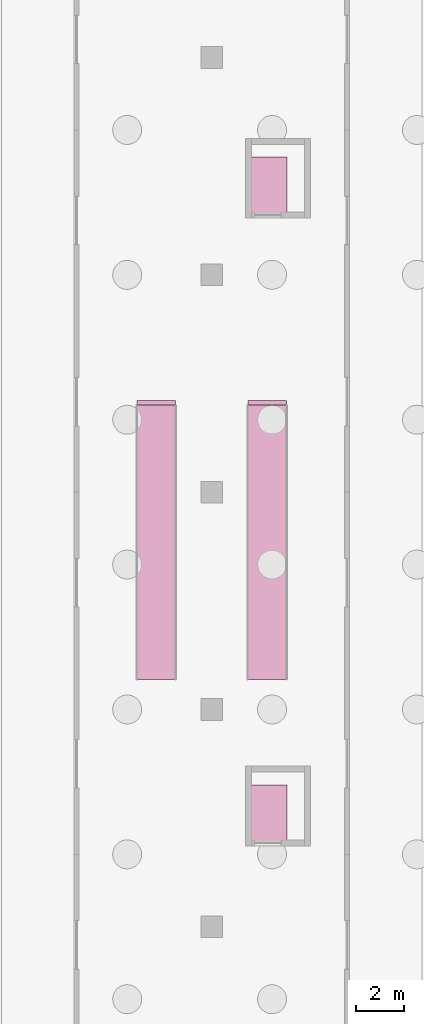
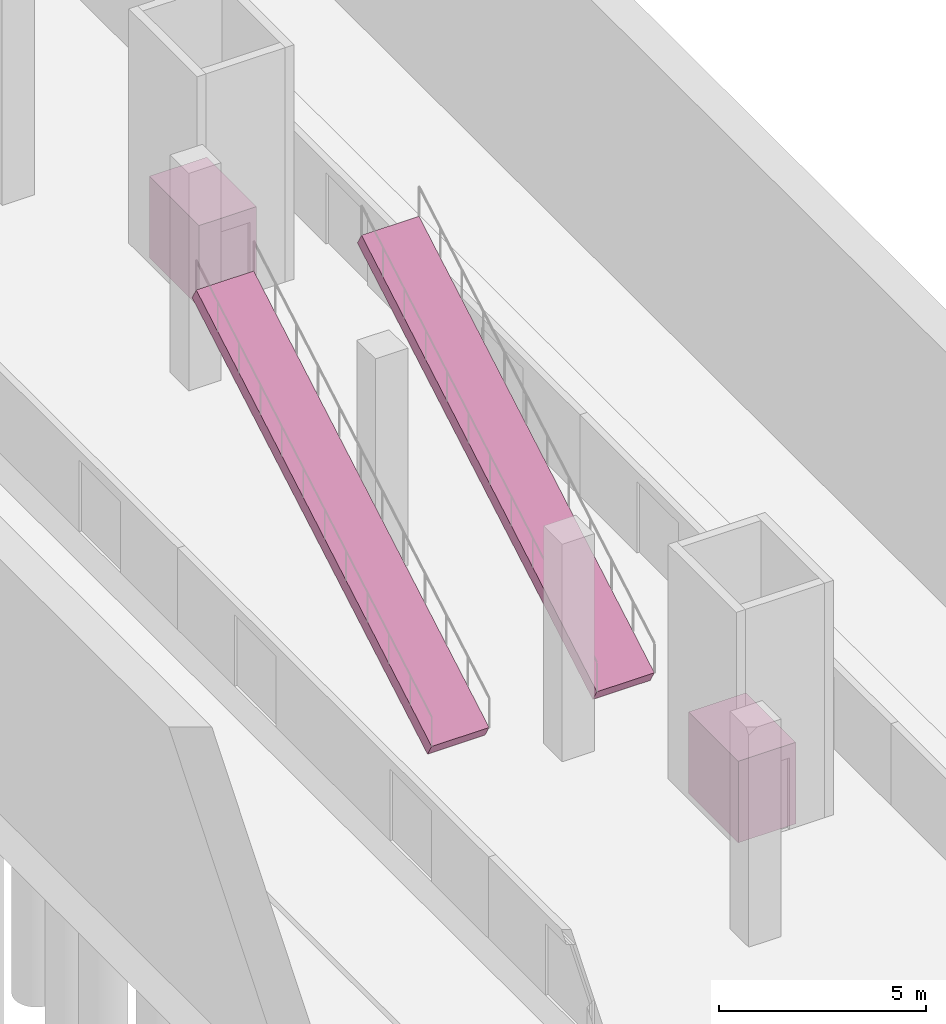
# One storey, part 16 of 16: 4 transport elements.
"""IFC4 building model written with IfcOpenShell, lengths in metres."""

from ifc_helpers import new_model, si_unit, direction, frame, origin, origin_2d, place, context, subcontext, project, spatial, polyline, rectangle, outline, extrude, material, type_object, element, save


model = new_model("IFC4")

# Units and contexts
model_context = context("Model", 3, precision=1e-05, world=origin(), true_north=direction((0.0, 1.0)))
body_context = subcontext(model_context, "Body", "Model", "MODEL_VIEW")
ifc_project = project(units=[si_unit("LENGTHUNIT", "METRE"), si_unit("AREAUNIT", "SQUARE_METRE"), si_unit("VOLUMEUNIT", "CUBIC_METRE"), si_unit("PLANEANGLEUNIT", "RADIAN"), si_unit("MASSUNIT", "GRAM", prefix="KILO")], contexts=[model_context])

# Site, building, storey
site_placement = place(None, origin())
site = spatial("IfcSite", under=ifc_project, at=site_placement, CompositionType="ELEMENT")
building_placement = place(site_placement, origin())
building = spatial("IfcBuilding", under=site, at=building_placement, Name="Ogive Plaza Stadium", CompositionType="ELEMENT")
storey_placement = place(building_placement, frame((0.0, 0.0, -11.39990234375)))
storey = spatial("IfcBuildingStorey", under=building, at=storey_placement, Name="B2", CompositionType="ELEMENT", Elevation=-11.39990234375)

# Transport elements
ifc_material_1 = material(Name="Steel truss, stainless steel balustrade", Category="steel")
transport_element_type_1 = type_object("IfcTransportElementType", Name="Escalator 1600 30 degrees", PredefinedType="ESCALATOR", material=ifc_material_1)
for number, where, z_axis, x_axis, name in (
    (1, (104.39990234375, -7.751220703125, 0.34619140625), (0.0, -0.500001386263, 0.866024603424), (1.0, 0.0, 0.0), "Escalator ES1"),
    (2, (109.0, -7.751220703125, 0.34619140625), (0.0, -0.500001386263, 0.866024603424), (1.0, 0.0, 0.0), "Escalator ES2"),
):
    element("IfcTransportElement", number, at=place(storey_placement, frame(where, z_axis=z_axis, x_axis=x_axis)), inside=storey, type_object=transport_element_type_1, Name=name, PredefinedType="ESCALATOR", context=body_context, shape_type="SweptSolid", body=[
        extrude(outline(polyline([(0.0, 0.0), (1.60009765625, 0.0), (1.60009765625, 13.10738553443024), (0.0, 13.10738553443024), (0.0, 0.0)])), origin(), (0.0, 0.0, -1.0), 0.39990234375),
    ])
ifc_material_2 = material(Name="Stainless steel car", Category="steel")
transport_element_type_2 = type_object("IfcTransportElementType", Name="Passenger lift 1600x2400", PredefinedType="ELEVATOR", material=ifc_material_2)
for number, where, z_axis, x_axis, name in (
    (3, (109.824951171875, -13.324951171875, 0.0), (0.0, 0.0, 1.0), (1.0, 0.0, 0.0), "Passenger lift S1"),
    (4, (109.824951171875, 12.675048828125, 0.0), (0.0, 0.0, 1.0), (1.0, 0.0, 0.0), "Passenger lift S2"),
):
    element("IfcTransportElement", number, at=place(storey_placement, frame(where, z_axis=z_axis, x_axis=x_axis)), inside=storey, type_object=transport_element_type_2, Name=name, PredefinedType="ELEVATOR", context=body_context, shape_type="SweptSolid", body=[
        extrude(rectangle(XDim=1.60009765625, YDim=2.39990234375, at=origin_2d()), origin(), (0.0, 0.0, 1.0), 2.39990234375),
    ])

save(model, "model.ifc")
